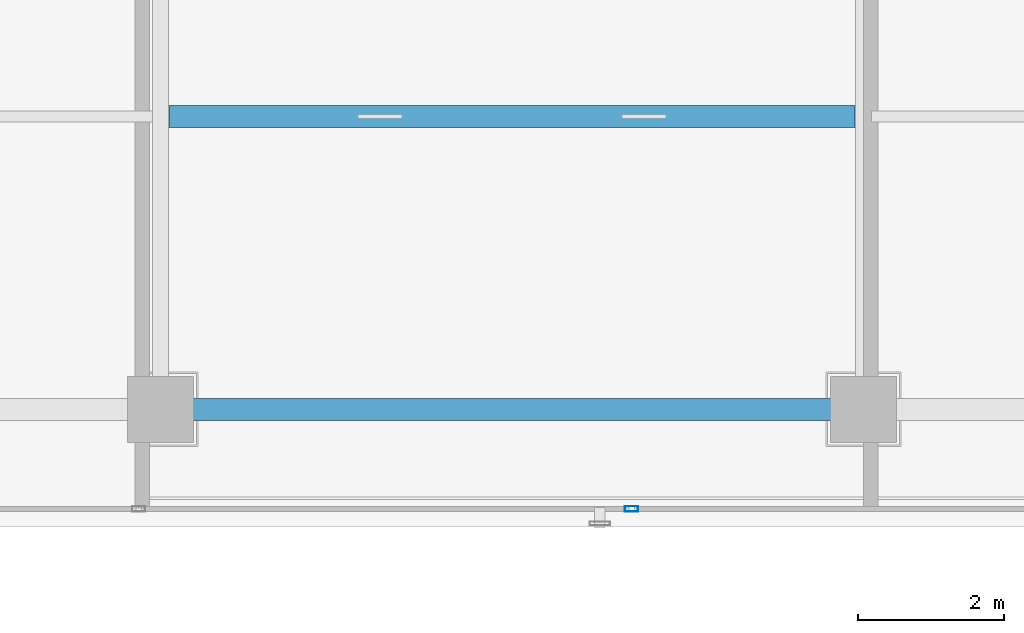
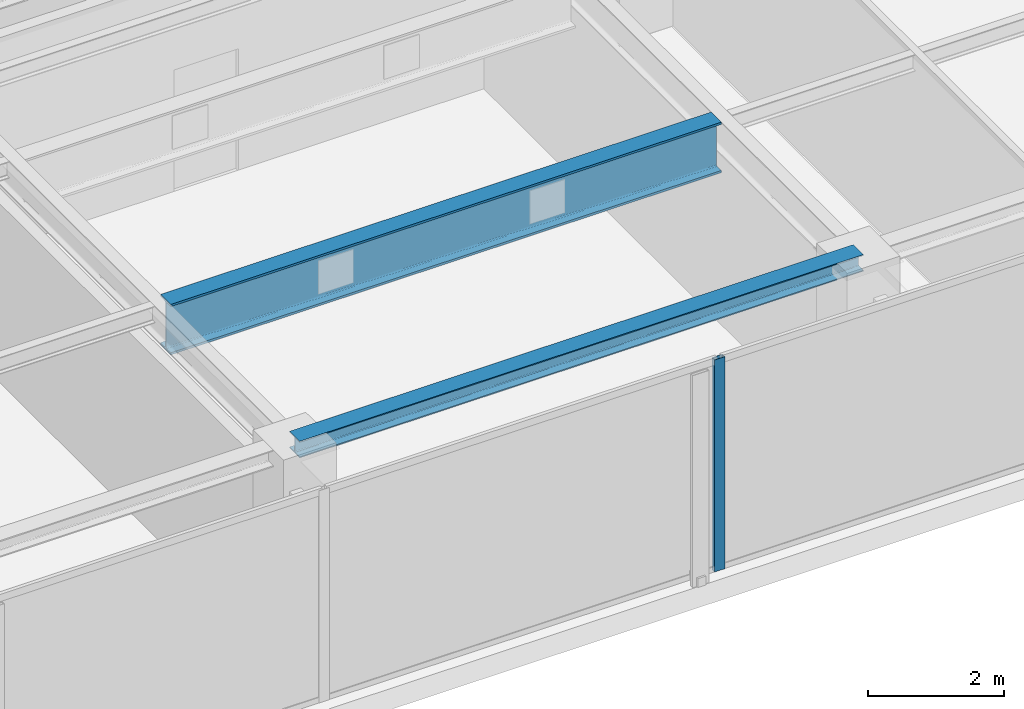
# One storey, part 7 of 32: 2 beams, 1 member, 1 element without a shape of its own.
"""IFC4 building model written with IfcOpenShell, lengths in metres."""

from ifc_helpers import new_model, si_unit, direction, frame, origin, origin_with_axes, origin_2d, place, context, subcontext, project, spatial, hollow_rectangle, i_section, extrude, source, transform, mapped, material, layer, layer_set, material_profile, profile_set, type_object, element, aggregate, save


model = new_model("IFC4")

# Units and contexts
model_context = context("Model", 3, precision=1e-05, world=origin(), true_north=direction((0.0, 1.0)))
body_context = subcontext(model_context, "Body", "Model", "MODEL_VIEW")
ifc_project = project(units=[si_unit("LENGTHUNIT", "METRE"), si_unit("AREAUNIT", "SQUARE_METRE"), si_unit("VOLUMEUNIT", "CUBIC_METRE"), si_unit("PLANEANGLEUNIT", "RADIAN"), si_unit("MASSUNIT", "GRAM", prefix="KILO")], contexts=[model_context])

# Site, building, storey
site_placement = place(None, origin())
site = spatial("IfcSite", under=ifc_project, at=site_placement, CompositionType="ELEMENT")
building_placement = place(site_placement, origin())
building = spatial("IfcBuilding", under=site, at=building_placement, Name="Kolvaren Waterfront Exchange", CompositionType="ELEMENT")
storey_placement = place(building_placement, frame((0.0, 0.0, 352.0)))
storey = spatial("IfcBuildingStorey", under=building, at=storey_placement, Name="L90", CompositionType="ELEMENT", Elevation=352.0)

# Beams
ifc_material_1 = material(Name="Steel S355", Category="steel")
ifc_material_profile_1 = material_profile(ifc_material_1, i_section(OverallWidth=0.300048828125, OverallDepth=0.300048828125, WebThickness=0.010986328125, FlangeThickness=0.01904296875, FilletRadius=0.027099609375, at=origin_2d()), Name="HEB300")
ifc_profile_set_1 = profile_set([ifc_material_profile_1], Name="Steel S355")
beam_type_1 = type_object("IfcBeamType", Name="STR-BM-HEB300", PredefinedType="SPANDREL", material=ifc_profile_set_1)
beam_1_placement = place(storey_placement, frame((27.199951171875, 5.199951171875, 3.669921875), z_axis=(1.0, 0.0, 0.0), x_axis=(0.0, 1.0, 0.0)))
element("IfcBeam", 1, at=beam_1_placement, inside=storey, type_object=beam_type_1, Name="L90 east-arm spandrel S2", PredefinedType="SPANDREL", context=body_context, shape_type="SweptSolid", body=[
    extrude(i_section(OverallWidth=0.300048828125, OverallDepth=0.300048828125, WebThickness=0.010986328125, FlangeThickness=0.01904296875, FilletRadius=0.027099609375, at=origin_2d()), origin(), (0.0, 0.0, 1.0), 9.60009765625),
])
ifc_material_2 = material(Name="Steel S460", Category="steel")
ifc_material_profile_2 = material_profile(ifc_material_2, i_section(OverallWidth=0.302001953125, OverallDepth=0.909912109375, WebThickness=0.02099609375, FlangeThickness=0.0400390625, FilletRadius=0.030029296875, at=origin_2d()), Name="HEM900")
ifc_profile_set_2 = profile_set([ifc_material_profile_2], Name="Steel S460")
beam_type_2 = type_object("IfcBeamType", Name="STR-TRG-HEM900", PredefinedType="BEAM", material=ifc_profile_set_2)
beam_2_placement = place(storey_placement, frame((27.31201171875, 9.199951171875, 3.364990234375), z_axis=(1.0, 0.0, 0.0), x_axis=(0.0, 1.0, 0.0)))
element("IfcBeam", 2, at=beam_2_placement, inside=storey, type_object=beam_type_2, Name="L90 TUNED MASS DAMPER suspension girder 1", PredefinedType="BEAM", context=body_context, shape_type="SweptSolid", body=[
    extrude(i_section(OverallWidth=0.302001953125, OverallDepth=0.909912109375, WebThickness=0.02099609375, FlangeThickness=0.0400390625, FilletRadius=0.030029296875, at=origin_2d()), origin(), (0.0, 0.0, 1.0), 9.3759765625),
])

# Curtain wall, member
ifc_material_3 = material(Name="Anodised bronze aluminium 6063-T6", Category="aluminium")
ifc_layer = layer(ifc_material_3, 0.219970703125, Name="Anodised bronze aluminium 6063-T6")
ifc_layer_set = layer_set([ifc_layer], Name="Anodised bronze aluminium 6063-T6")
curtain_wall_type = type_object("IfcCurtainWallType", Name="ARC-CW-SYS5", PredefinedType="USERDEFINED", material=ifc_layer_set)
curtain_wall_placement = place(storey_placement, origin())
curtain_wall = element("IfcCurtainWall", 3, at=curtain_wall_placement, inside=storey, type_object=curtain_wall_type, Name="L90 stick curtain wall CW5 (CW-L90-S)", ObjectType="STICK CURTAIN WALL", PredefinedType="USERDEFINED")
ifc_material_profile_3 = material_profile(ifc_material_3, hollow_rectangle(XDim=0.074951171875, YDim=0.179931640625, WallThickness=0.00439453125, at=origin_2d()), Name="ALU-MUL-180x75x4.5")
ifc_profile_set_3 = profile_set([ifc_material_profile_3], Name="Anodised bronze aluminium 6063-T6")
member_type = type_object("IfcMemberType", Name="ARC-CWM-180", PredefinedType="MULLION", material=ifc_profile_set_3)
shared_shape = source(origin_with_axes(), body_context, "Body", "SweptSolid", [
    extrude(hollow_rectangle(XDim=0.074951171875, YDim=0.179931640625, WallThickness=0.00439453125, at=origin_2d()), origin(), (0.0, 0.0, 1.0), 3.820068359375),
])
member_placement = place(storey_placement, frame((33.63330078125, 3.840087890625, 0.0), z_axis=(0.0, 0.0, 1.0), x_axis=(0.0, 1.0, 0.0)))
member = element("IfcMember", 4, at=member_placement, type_object=member_type, Name="CW5 mullion 5", PredefinedType="MULLION", context=body_context, shape_type="MappedRepresentation", body=[
    mapped(shared_shape, transform((0.0, 0.0, 0.0), x_axis=(1.0, 0.0, 0.0), y_axis=(0.0, 1.0, 0.0), z_axis=(0.0, 0.0, 1.0), scale=1.0)),
])
aggregate(curtain_wall, [member])

save(model, "model.ifc")
